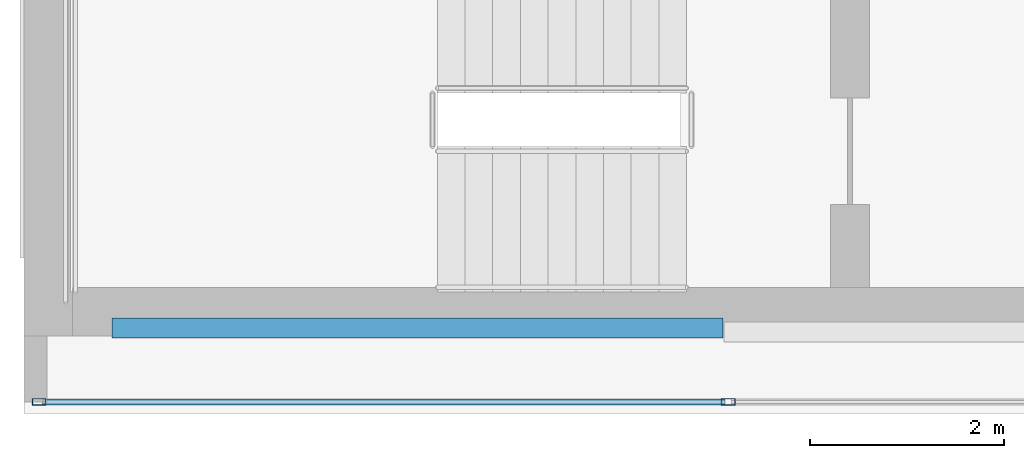
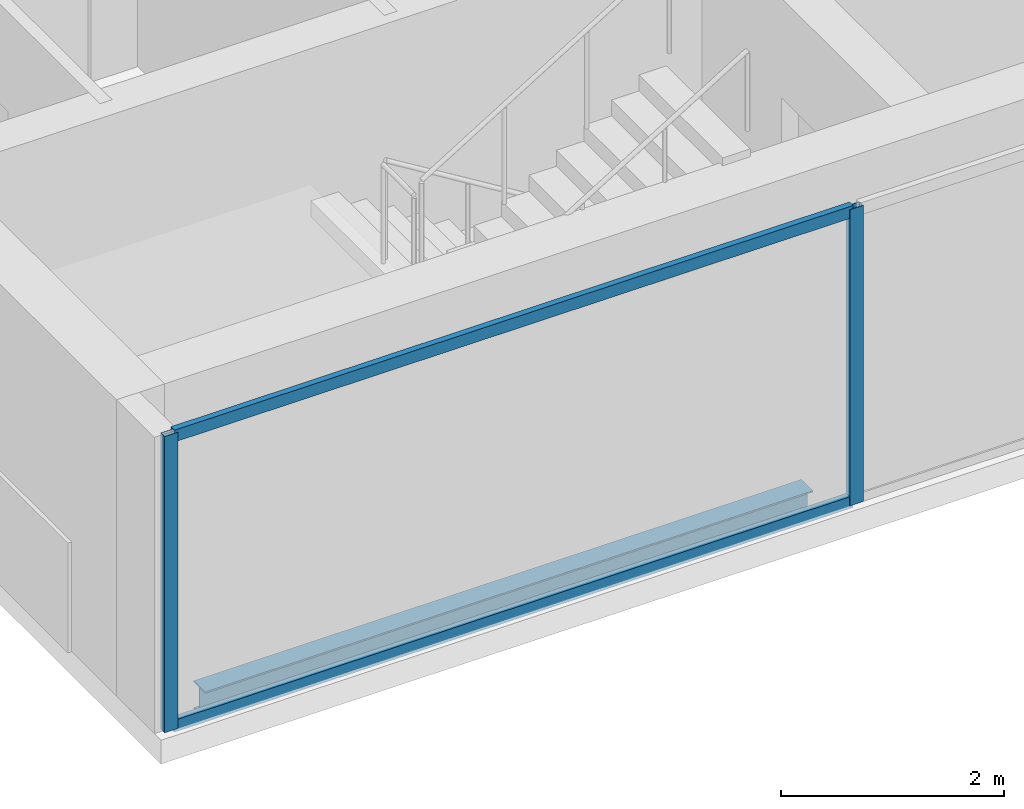
# One storey, part 2 of 23: 4 members, 1 beam, 1 element without a shape of its own.
"""IFC4 building model written with IfcOpenShell, lengths in metres."""

from ifc_helpers import new_model, si_unit, direction, frame, origin, origin_2d, place, context, subcontext, project, spatial, hollow_rectangle, i_section, extrude, material, material_profile, profile_set, type_object, element, aggregate, save


model = new_model("IFC4")

# Units and contexts
model_context = context("Model", 3, precision=1e-05, world=origin(), true_north=direction((0.0, 1.0)))
body_context = subcontext(model_context, "Body", "Model", "MODEL_VIEW")
ifc_project = project(units=[si_unit("LENGTHUNIT", "METRE"), si_unit("AREAUNIT", "SQUARE_METRE"), si_unit("VOLUMEUNIT", "CUBIC_METRE"), si_unit("PLANEANGLEUNIT", "RADIAN"), si_unit("MASSUNIT", "GRAM", prefix="KILO")], contexts=[model_context])

# Site, building, storey
site_placement = place(None, origin())
site = spatial("IfcSite", under=ifc_project, at=site_placement, CompositionType="ELEMENT")
building_placement = place(site_placement, origin())
building = spatial("IfcBuilding", under=site, at=building_placement, Name="Cobrela Telecom Tower", CompositionType="ELEMENT")
storey_placement = place(building_placement, frame((0.0, 0.0, 269.14990234375)))
storey = spatial("IfcBuildingStorey", under=building, at=storey_placement, Name="L70", CompositionType="ELEMENT", Elevation=269.14990234375)

# Beam
ifc_material_1 = material(Name="Steel ASTM A992 Grade 50", Category="steel")
ifc_material_profile_1 = material_profile(ifc_material_1, i_section(OverallWidth=0.205078125, OverallDepth=0.31005859375, WebThickness=0.009521484375, FlangeThickness=0.016357421875, FilletRadius=0.010986328125, at=origin_2d()), Name="W12X50")
ifc_profile_set_1 = profile_set([ifc_material_profile_1], Name="Steel ASTM A992 Grade 50")
beam_type = type_object("IfcBeamType", Name="BM-SPAND-07", PredefinedType="SPANDREL", material=ifc_profile_set_1)
beam_placement = place(storey_placement, frame((0.905029296875, 7.280029296875, -0.414794921875), z_axis=(1.0, 0.0, 0.0), x_axis=(0.0, 1.0, 0.0)))
element("IfcBeam", 1, at=beam_placement, inside=storey, type_object=beam_type, Name="L70 Perimeter Spandrel X01", PredefinedType="SPANDREL", context=body_context, shape_type="SweptSolid", body=[
    extrude(i_section(OverallWidth=0.205078125, OverallDepth=0.31005859375, WebThickness=0.009521484375, FlangeThickness=0.016357421875, FilletRadius=0.010986328125, at=origin_2d()), origin(), (0.0, 0.0, 1.0), 6.2900390625),
])

# Curtain wall, members
ifc_material_2 = material(Name="Anodized Bronze Aluminium 6063-T6", Category="aluminium")
curtain_wall_type = type_object("IfcCurtainWallType", Name="CW-SYS-OFF-HI", PredefinedType="USERDEFINED", material=ifc_material_2)
curtain_wall_placement = place(storey_placement, origin())
curtain_wall = element("IfcCurtainWall", 2, at=curtain_wall_placement, inside=storey, type_object=curtain_wall_type, Name="L70 Unitised Bronze Curtain Wall 15", ObjectType="UNITISED CURTAIN WALL", PredefinedType="USERDEFINED")
ifc_material_profile_2 = material_profile(ifc_material_2, hollow_rectangle(XDim=0.070068359375, YDim=0.139892578125, WallThickness=0.00390625, at=origin_2d()), Name="ALU 70x140x4")
ifc_profile_set_2 = profile_set([ifc_material_profile_2], Name="Anodized Bronze Aluminium 6063-T6")
member_type_1 = type_object("IfcMemberType", Name="CW-SYS-OFF-HI-MUL", PredefinedType="MULLION", material=ifc_profile_set_2)
member_1_placement = place(storey_placement, frame((7.248291015625, 6.52001953125, 0.0), z_axis=(0.0, 0.0, 1.0), x_axis=(0.0, -1.0, 0.0)))
member_1 = element("IfcMember", 3, at=member_1_placement, type_object=member_type_1, Name="CW-OFF-HI mullion 6", PredefinedType="MULLION", context=body_context, shape_type="SweptSolid", body=[
    extrude(hollow_rectangle(XDim=0.070068359375, YDim=0.139892578125, WallThickness=0.00390625, at=origin_2d()), origin(), (0.0, 0.0, 1.0), 3.239990234375),
])
member_2_placement = place(storey_placement, frame((0.155029296875, 6.52001953125, 0.0), z_axis=(0.0, 0.0, 1.0), x_axis=(0.0, -1.0, 0.0)))
member_2 = element("IfcMember", 4, at=member_2_placement, type_object=member_type_1, Name="CW-OFF-HI mullion 7", PredefinedType="MULLION", context=body_context, shape_type="SweptSolid", body=[
    extrude(hollow_rectangle(XDim=0.070068359375, YDim=0.139892578125, WallThickness=0.00390625, at=origin_2d()), origin(), (0.0, 0.0, 1.0), 3.239990234375),
])
ifc_material_profile_3 = material_profile(ifc_material_2, hollow_rectangle(XDim=0.06494140625, YDim=0.1298828125, WallThickness=0.00390625, at=origin_2d()), Name="ALU 65x130x4")
ifc_profile_set_3 = profile_set([ifc_material_profile_3], Name="Anodized Bronze Aluminium 6063-T6")
member_type_2 = type_object("IfcMemberType", Name="CW-SYS-OFF-HI-TRN", PredefinedType="USERDEFINED", material=ifc_profile_set_3)
member_3_placement = place(storey_placement, frame((7.21337890625, 6.52001953125, 0.03271484375), z_axis=(-1.0, 0.0, 0.0), x_axis=(0.0, -1.0, 0.0)))
member_3 = element("IfcMember", 5, at=member_3_placement, type_object=member_type_2, Name="CW-OFF-HI transom 6.1", ObjectType="TRANSOM", PredefinedType="USERDEFINED", context=body_context, shape_type="SweptSolid", body=[
    extrude(hollow_rectangle(XDim=0.06494140625, YDim=0.1298828125, WallThickness=0.00390625, at=origin_2d()), origin(), (0.0, 0.0, 1.0), 7.0234375),
])
member_4_placement = place(storey_placement, frame((7.21337890625, 6.52001953125, 3.20751953125), z_axis=(-1.0, 0.0, 0.0), x_axis=(0.0, -1.0, 0.0)))
member_4 = element("IfcMember", 6, at=member_4_placement, type_object=member_type_2, Name="CW-OFF-HI transom 6.2", ObjectType="TRANSOM", PredefinedType="USERDEFINED", context=body_context, shape_type="SweptSolid", body=[
    extrude(hollow_rectangle(XDim=0.06494140625, YDim=0.1298828125, WallThickness=0.00390625, at=origin_2d()), origin(), (0.0, 0.0, 1.0), 7.0234375),
])
aggregate(curtain_wall, [member_1, member_2, member_3, member_4])

save(model, "model.ifc")
